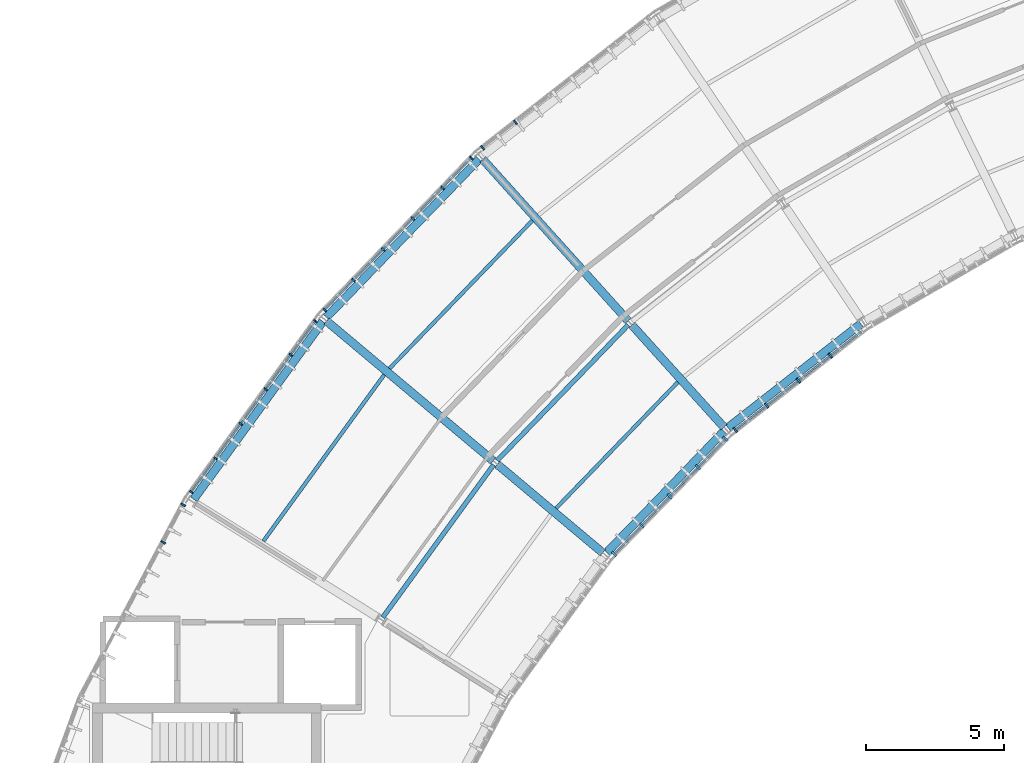
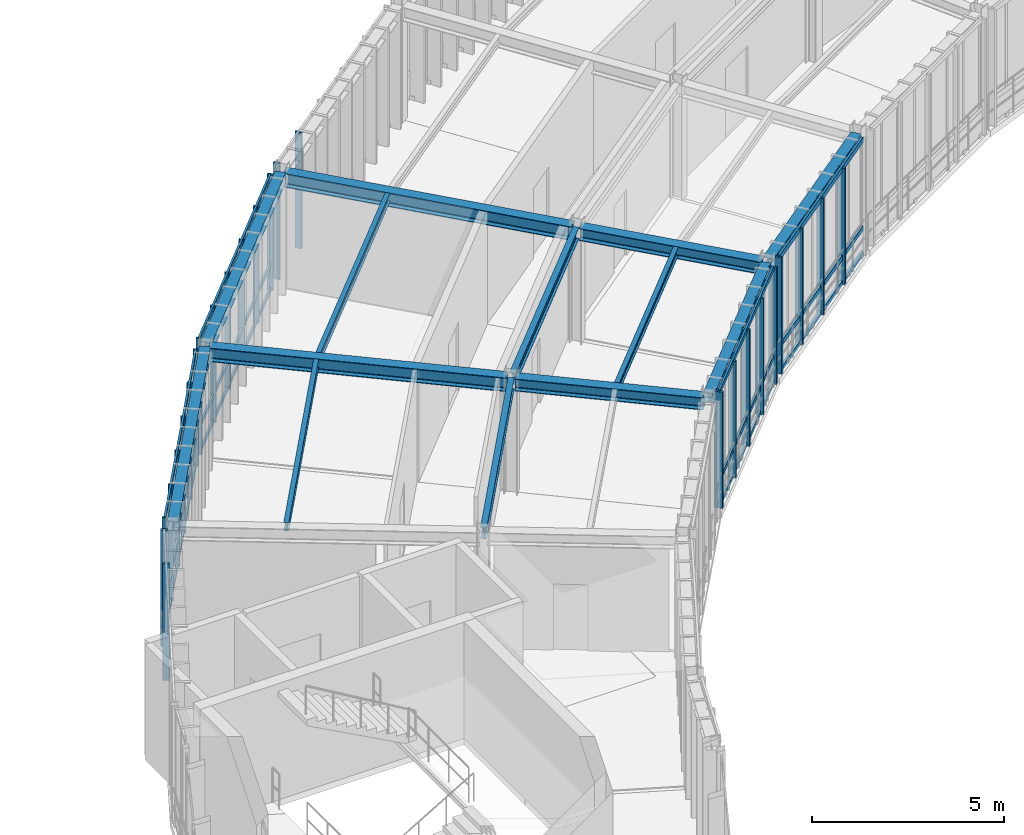
# One storey, part 12 of 41: 37 members, 13 beams, 6 elements without a shape of their own.
"""IFC4 building model written with IfcOpenShell, lengths in metres."""

from ifc_helpers import new_model, si_unit, direction, frame, origin, origin_2d, place, context, subcontext, project, spatial, rectangle, i_section, extrude, material, layer, layer_set, material_profile, profile_set, type_object, element, aggregate, save


model = new_model("IFC4")

# Units and contexts
model_context = context("Model", 3, precision=1e-05, world=origin(), true_north=direction((0.0, 1.0)))
body_context = subcontext(model_context, "Body", "Model", "MODEL_VIEW")
ifc_project = project(units=[si_unit("LENGTHUNIT", "METRE"), si_unit("AREAUNIT", "SQUARE_METRE"), si_unit("VOLUMEUNIT", "CUBIC_METRE"), si_unit("PLANEANGLEUNIT", "RADIAN"), si_unit("MASSUNIT", "GRAM", prefix="KILO"), si_unit("THERMODYNAMICTEMPERATUREUNIT", "KELVIN"), si_unit("POWERUNIT", "WATT")], contexts=[model_context])

# Site, building, storey
site_placement = place(None, origin())
site = spatial("IfcSite", under=ifc_project, at=site_placement, CompositionType="ELEMENT")
building_placement = place(site_placement, origin())
building = spatial("IfcBuilding", under=site, at=building_placement, Name="Solvatero Civic Police Headquarters", CompositionType="ELEMENT")
storey_placement = place(building_placement, frame((0.0, 0.0, 17.699951171875)))
storey = spatial("IfcBuildingStorey", under=building, at=storey_placement, Name="L04", CompositionType="ELEMENT", Elevation=17.699951171875)

# Beams
ifc_material_1 = material(Name="Steel S355", Category="steel")
ifc_material_profile_1 = material_profile(ifc_material_1, i_section(OverallWidth=0.300048828125, OverallDepth=0.2900390625, WebThickness=0.008544921875, FlangeThickness=0.013916015625, FilletRadius=0.027099609375, at=origin_2d()), Name="HEA 300")
ifc_profile_set_1 = profile_set([ifc_material_profile_1], Name="Steel S355")
beam_type_1 = type_object("IfcBeamType", Name="BM-ST-HEA300", PredefinedType="SPANDREL", material=ifc_profile_set_1)
for number, where, z_axis, x_axis, name in (
    (1, (68.561767578125, 63.535400390625, 3.554931640625), (-0.788005042089, -0.615668785665, 0.0), (0.615668785665, -0.788005042089, 0.0), "Perimeter / radial spandrel beam BM-R2-L04-ARC-CIN-B06"),
    (2, (63.58544921875, 59.629638671875, 3.554931640625), (-0.694666334327, -0.719332109635, 0.0), (0.719332109635, -0.694666334327, 0.0), "Perimeter / radial spandrel beam BM-R2-L04-ARC-CIN-B07"),
):
    element("IfcBeam", number, at=place(storey_placement, frame(where, z_axis=z_axis, x_axis=x_axis)), inside=storey, type_object=beam_type_1, Name=name, PredefinedType="SPANDREL", context=body_context, shape_type="SweptSolid", body=[
        extrude(i_section(OverallWidth=0.300048828125, OverallDepth=0.2900390625, WebThickness=0.008544921875, FlangeThickness=0.013916015625, FilletRadius=0.027099609375, at=origin_2d()), origin(), (0.0, 0.0, 1.0), 6.126953125),
    ])
ifc_material_profile_2 = material_profile(ifc_material_1, i_section(OverallWidth=0.300048828125, OverallDepth=0.31005859375, WebThickness=0.009033203125, FlangeThickness=0.015380859375, FilletRadius=0.027099609375, at=origin_2d()), Name="HEA 320")
ifc_profile_set_2 = profile_set([ifc_material_profile_2], Name="Steel S355")
beam_type_2 = type_object("IfcBeamType", Name="BM-ST-HEA320", PredefinedType="SPANDREL", material=ifc_profile_set_2)
beam_1_placement = place(storey_placement, frame((54.68603515625, 69.513427734375, 3.545166015625), z_axis=(-0.694657827695, -0.719340324479, 0.0), x_axis=(0.719340324479, -0.694657827695, 0.0)))
element("IfcBeam", 3, at=beam_1_placement, inside=storey, type_object=beam_type_2, Name="Perimeter / radial spandrel beam BM-R2-L04-ARC-COUT-B07", PredefinedType="SPANDREL", context=body_context, shape_type="SweptSolid", body=[
    extrude(i_section(OverallWidth=0.300048828125, OverallDepth=0.31005859375, WebThickness=0.009033203125, FlangeThickness=0.015380859375, FilletRadius=0.027099609375, at=origin_2d()), origin(), (0.0, 0.0, 1.0), 7.982177734375),
])
beam_2_placement = place(storey_placement, frame((49.0126953125, 63.61865234375, 3.545166015625), z_axis=(-0.587775184232, -0.809024309153, 0.0), x_axis=(0.809024309153, -0.587775184232, 0.0)))
element("IfcBeam", 4, at=beam_2_placement, inside=storey, type_object=beam_type_2, Name="Perimeter / radial spandrel beam BM-R2-L04-ARC-COUT-B08", PredefinedType="SPANDREL", context=body_context, shape_type="SweptSolid", body=[
    extrude(i_section(OverallWidth=0.300048828125, OverallDepth=0.31005859375, WebThickness=0.009033203125, FlangeThickness=0.015380859375, FilletRadius=0.027099609375, at=origin_2d()), origin(), (0.0, 0.0, 1.0), 7.982421875),
])
ifc_material_profile_3 = material_profile(ifc_material_1, i_section(OverallWidth=0.300048828125, OverallDepth=0.389892578125, WebThickness=0.010986328125, FlangeThickness=0.01904296875, FilletRadius=0.027099609375, at=origin_2d()), Name="HEA 400")
ifc_profile_set_3 = profile_set([ifc_material_profile_3], Name="Steel S355")
beam_type_3 = type_object("IfcBeamType", Name="BM-ST-HEA400", PredefinedType="BEAM", material=ifc_profile_set_3)
beam_3_placement = place(storey_placement, frame((63.587890625, 59.77587890625, 3.505126953125), z_axis=(-0.669126573551, 0.743148456614, 0.0), x_axis=(-0.743148456614, -0.669126573551, 0.0)))
element("IfcBeam", 5, at=beam_3_placement, inside=storey, type_object=beam_type_3, Name="Primary girder BM-R2-L04-ARC-RAD1-S06", PredefinedType="BEAM", context=body_context, shape_type="SweptSolid", body=[
    extrude(i_section(OverallWidth=0.300048828125, OverallDepth=0.389892578125, WebThickness=0.010986328125, FlangeThickness=0.01904296875, FilletRadius=0.027099609375, at=origin_2d()), origin(), (0.0, 0.0, 1.0), 5.0),
])
beam_4_placement = place(storey_placement, frame((59.183349609375, 55.214599609375, 3.505126953125), z_axis=(-0.766035646312, 0.642798093167, 0.0), x_axis=(-0.642798093167, -0.766035646312, 0.0)))
element("IfcBeam", 6, at=beam_4_placement, inside=storey, type_object=beam_type_3, Name="Primary girder BM-R2-L04-ARC-RAD1-S07", PredefinedType="BEAM", context=body_context, shape_type="SweptSolid", body=[
    extrude(i_section(OverallWidth=0.300048828125, OverallDepth=0.389892578125, WebThickness=0.010986328125, FlangeThickness=0.01904296875, FilletRadius=0.027099609375, at=origin_2d()), origin(), (0.0, 0.0, 1.0), 5.000244140625),
])
ifc_material_profile_4 = material_profile(ifc_material_1, i_section(OverallWidth=0.300048828125, OverallDepth=0.43994140625, WebThickness=0.011474609375, FlangeThickness=0.02099609375, FilletRadius=0.027099609375, at=origin_2d()), Name="HEA 450")
ifc_profile_set_4 = profile_set([ifc_material_profile_4], Name="Steel S355")
beam_type_4 = type_object("IfcBeamType", Name="BM-ST-HEA450", PredefinedType="BEAM", material=ifc_profile_set_4)
beam_5_placement = place(storey_placement, frame((60.1083984375, 63.640380859375, 3.47998046875), z_axis=(-0.669128632475, 0.743146602766, 0.0), x_axis=(-0.743146602766, -0.669128632475, 0.0)))
element("IfcBeam", 7, at=beam_5_placement, inside=storey, type_object=beam_type_4, Name="Primary girder BM-R2-L04-ARC-RAD2-S06", PredefinedType="BEAM", context=body_context, shape_type="SweptSolid", body=[
    extrude(i_section(OverallWidth=0.300048828125, OverallDepth=0.43994140625, WebThickness=0.011474609375, FlangeThickness=0.02099609375, FilletRadius=0.027099609375, at=origin_2d()), origin(), (0.0, 0.0, 1.0), 7.899658203125),
])
beam_6_placement = place(storey_placement, frame((55.199951171875, 58.55712890625, 3.47998046875), z_axis=(-0.766038381489, 0.642794833587, 0.0), x_axis=(-0.642794833587, -0.766038381489, 0.0)))
element("IfcBeam", 8, at=beam_6_placement, inside=storey, type_object=beam_type_4, Name="Primary girder BM-R2-L04-ARC-RAD2-S07", PredefinedType="BEAM", context=body_context, shape_type="SweptSolid", body=[
    extrude(i_section(OverallWidth=0.300048828125, OverallDepth=0.43994140625, WebThickness=0.011474609375, FlangeThickness=0.02099609375, FilletRadius=0.027099609375, at=origin_2d()), origin(), (0.0, 0.0, 1.0), 7.900146484375),
])
ifc_material_profile_5 = material_profile(ifc_material_1, i_section(OverallWidth=0.135009765625, OverallDepth=0.27001953125, WebThickness=0.006591796875, FlangeThickness=0.01025390625, FilletRadius=0.014892578125, at=origin_2d()), Name="IPE 270")
ifc_profile_set_5 = profile_set([ifc_material_profile_5], Name="Steel S355")
beam_type_5 = type_object("IfcBeamType", Name="BM-ST-IPE270", PredefinedType="BEAM", material=ifc_profile_set_5)
beam_7_placement = place(storey_placement, frame((61.911376953125, 61.414306640625, 3.56494140625), z_axis=(-0.694655397836, -0.719342670956, 0.0), x_axis=(0.719342670956, -0.694655397836, 0.0)))
element("IfcBeam", 9, at=beam_7_placement, inside=storey, type_object=beam_type_5, Name="Composite floor beam BM-R2-L04-ARC-CS1-B07", PredefinedType="BEAM", context=body_context, shape_type="SweptSolid", body=[
    extrude(i_section(OverallWidth=0.135009765625, OverallDepth=0.27001953125, WebThickness=0.006591796875, FlangeThickness=0.01025390625, FilletRadius=0.014892578125, at=origin_2d()), origin(), (0.0, 0.0, 1.0), 6.36865234375),
])
for number, where, z_axis, x_axis, name in (
    (10, (56.625244140625, 67.285400390625, 3.56494140625), (-0.69464641537, -0.719351345042, 0.0), (0.719351345042, -0.69464641537, 0.0), "Composite floor beam BM-R2-L04-ARC-CS2-B07"),
    (11, (51.2431640625, 61.681884765625, 3.56494140625), (-0.587800506185, -0.809005911554, 0.0), (0.809005911554, -0.587800506185, 0.0), "Composite floor beam BM-R2-L04-ARC-CS2-B08"),
):
    element("IfcBeam", number, at=place(storey_placement, frame(where, z_axis=z_axis, x_axis=x_axis)), inside=storey, type_object=beam_type_5, Name=name, PredefinedType="BEAM", context=body_context, shape_type="SweptSolid", body=[
        extrude(i_section(OverallWidth=0.135009765625, OverallDepth=0.27001953125, WebThickness=0.006591796875, FlangeThickness=0.01025390625, FilletRadius=0.014892578125, at=origin_2d()), origin(), (0.0, 0.0, 1.0), 7.470947265625),
    ])
ifc_material_profile_6 = material_profile(ifc_material_1, i_section(OverallWidth=0.169921875, OverallDepth=0.360107421875, WebThickness=0.008056640625, FlangeThickness=0.0126953125, FilletRadius=0.01806640625, at=origin_2d()), Name="IPE 360")
ifc_profile_set_6 = profile_set([ifc_material_profile_6], Name="Steel S355")
beam_type_6 = type_object("IfcBeamType", Name="BM-ST-IPE360", PredefinedType="BEAM", material=ifc_profile_set_6)
for number, where, z_axis, x_axis, name in (
    (12, (60.10595703125, 63.494140625, 3.52001953125), (-0.694635840839, -0.719361556258, 0.0), (0.719361556258, -0.694635840839, 0.0), "Composite floor beam BM-R2-L04-ARC-CMID-B07"),
    (13, (55.2177734375, 58.412109375, 3.52001953125), (-0.587794552249, -0.809010237479, 0.0), (0.809010237479, -0.587794552249, 0.0), "Composite floor beam BM-R2-L04-ARC-CMID-B08"),
):
    element("IfcBeam", number, at=place(storey_placement, frame(where, z_axis=z_axis, x_axis=x_axis)), inside=storey, type_object=beam_type_6, Name=name, PredefinedType="BEAM", context=body_context, shape_type="SweptSolid", body=[
        extrude(i_section(OverallWidth=0.169921875, OverallDepth=0.360107421875, WebThickness=0.008056640625, FlangeThickness=0.0126953125, FilletRadius=0.01806640625, at=origin_2d()), origin(), (0.0, 0.0, 1.0), 6.8525390625),
    ])

# Curtain wall, members
ifc_material_2 = material(Name="Anodized Bronze Aluminium", Category="aluminium")
ifc_layer_1 = layer(ifc_material_2, 0.179931640625)
ifc_layer_set_1 = layer_set([ifc_layer_1], Name="Anodized Bronze Aluminium")
curtain_wall_type_1 = type_object("IfcCurtainWallType", Name="CW-ARC-OUT", PredefinedType="USERDEFINED", material=ifc_layer_set_1)
curtain_wall_1_placement = place(storey_placement, origin())
curtain_wall_1 = element("IfcCurtainWall", 14, at=curtain_wall_1_placement, inside=storey, type_object=curtain_wall_type_1, Name="Curtain Wall CW-R2-L04-ARC-OUT-B08", ObjectType="UNITISED", PredefinedType="USERDEFINED")
ifc_material_profile_7 = material_profile(ifc_material_2, rectangle(XDim=0.06005859375, YDim=0.139892578125, at=origin_2d()), Name="ALU MULLION 60x140")
ifc_profile_set_7 = profile_set([ifc_material_profile_7], Name="Anodized Bronze Aluminium")
member_type_1 = type_object("IfcMemberType", Name="CWM-160x65", PredefinedType="MULLION", material=ifc_profile_set_7)
member_1_placement = place(storey_placement, frame((48.739013671875, 63.632080078125, 0.0), z_axis=(0.0, 0.0, 1.0), x_axis=(-0.587785252292, -0.809016994375, 0.0)))
member_1 = element("IfcMember", 15, at=member_1_placement, type_object=member_type_1, Name="CW-R2-L04-ARC-OUT-B08 Mullion 1", PredefinedType="MULLION", context=body_context, shape_type="SweptSolid", body=[
    extrude(rectangle(XDim=0.06005859375, YDim=0.139892578125, at=origin_2d()), origin(), (0.0, 0.0, 1.0), 3.699951171875),
])
member_2_placement = place(storey_placement, frame((47.85107421875, 62.41015625, 0.0), z_axis=(0.0, 0.0, 1.0), x_axis=(-0.587785252292, -0.809016994375, 0.0)))
member_2 = element("IfcMember", 16, at=member_2_placement, type_object=member_type_1, Name="CW-R2-L04-ARC-OUT-B08 Mullion 2", PredefinedType="MULLION", context=body_context, shape_type="SweptSolid", body=[
    extrude(rectangle(XDim=0.06005859375, YDim=0.139892578125, at=origin_2d()), origin(), (0.0, 0.0, 1.0), 3.699951171875),
])
member_3_placement = place(storey_placement, frame((46.939697265625, 61.15576171875, 0.0), z_axis=(0.0, 0.0, 1.0), x_axis=(-0.587785252292, -0.809016994375, 0.0)))
member_3 = element("IfcMember", 17, at=member_3_placement, type_object=member_type_1, Name="CW-R2-L04-ARC-OUT-B08 Mullion 3", PredefinedType="MULLION", context=body_context, shape_type="SweptSolid", body=[
    extrude(rectangle(XDim=0.06005859375, YDim=0.139892578125, at=origin_2d()), origin(), (0.0, 0.0, 1.0), 3.699951171875),
])
member_4_placement = place(storey_placement, frame((46.0283203125, 59.9013671875, 0.0), z_axis=(0.0, 0.0, 1.0), x_axis=(-0.587785252292, -0.809016994375, 0.0)))
member_4 = element("IfcMember", 18, at=member_4_placement, type_object=member_type_1, Name="CW-R2-L04-ARC-OUT-B08 Mullion 4", PredefinedType="MULLION", context=body_context, shape_type="SweptSolid", body=[
    extrude(rectangle(XDim=0.06005859375, YDim=0.139892578125, at=origin_2d()), origin(), (0.0, 0.0, 1.0), 3.699951171875),
])
member_5_placement = place(storey_placement, frame((45.1171875, 58.64697265625, 0.0), z_axis=(0.0, 0.0, 1.0), x_axis=(-0.587785252292, -0.809016994375, 0.0)))
member_5 = element("IfcMember", 19, at=member_5_placement, type_object=member_type_1, Name="CW-R2-L04-ARC-OUT-B08 Mullion 5", PredefinedType="MULLION", context=body_context, shape_type="SweptSolid", body=[
    extrude(rectangle(XDim=0.06005859375, YDim=0.139892578125, at=origin_2d()), origin(), (0.0, 0.0, 1.0), 3.699951171875),
])
member_6_placement = place(storey_placement, frame((44.229248046875, 57.425048828125, 0.0), z_axis=(0.0, 0.0, 1.0), x_axis=(-0.587785252292, -0.809016994375, 0.0)))
member_6 = element("IfcMember", 20, at=member_6_placement, type_object=member_type_1, Name="CW-R2-L04-ARC-OUT-B08 Mullion 6", PredefinedType="MULLION", context=body_context, shape_type="SweptSolid", body=[
    extrude(rectangle(XDim=0.06005859375, YDim=0.139892578125, at=origin_2d()), origin(), (0.0, 0.0, 1.0), 3.699951171875),
])

curtain_wall_2_placement = place(storey_placement, origin())
curtain_wall_2 = element("IfcCurtainWall", 21, at=curtain_wall_2_placement, inside=storey, type_object=curtain_wall_type_1, Name="Curtain Wall CW-R2-L04-ARC-OUT-B07", ObjectType="UNITISED", PredefinedType="USERDEFINED")
ifc_material_profile_8 = material_profile(ifc_material_2, rectangle(XDim=0.06005859375, YDim=0.159912109375, at=origin_2d()), Name="ALU MULLION 60x160")
ifc_profile_set_8 = profile_set([ifc_material_profile_8], Name="Anodized Bronze Aluminium")
member_type_2 = type_object("IfcMemberType", Name="CWM-180x70", PredefinedType="MULLION", material=ifc_profile_set_8)
member_7_placement = place(storey_placement, frame((54.409912109375, 69.557861328125, 0.0), z_axis=(0.0, 0.0, 1.0), x_axis=(-0.694645815505, -0.719351924305, 0.0)))
member_7 = element("IfcMember", 22, at=member_7_placement, type_object=member_type_2, Name="CW-R2-L04-ARC-OUT-B07 Mullion 1", PredefinedType="MULLION", context=body_context, shape_type="SweptSolid", body=[
    extrude(rectangle(XDim=0.06005859375, YDim=0.159912109375, at=origin_2d()), origin(), (0.0, 0.0, 1.0), 3.699951171875),
])
member_8_placement = place(storey_placement, frame((53.360595703125, 68.47119140625, 0.0), z_axis=(0.0, 0.0, 1.0), x_axis=(-0.694645815505, -0.719351924305, 0.0)))
member_8 = element("IfcMember", 23, at=member_8_placement, type_object=member_type_2, Name="CW-R2-L04-ARC-OUT-B07 Mullion 2", PredefinedType="MULLION", context=body_context, shape_type="SweptSolid", body=[
    extrude(rectangle(XDim=0.06005859375, YDim=0.159912109375, at=origin_2d()), origin(), (0.0, 0.0, 1.0), 3.699951171875),
])
member_9_placement = place(storey_placement, frame((52.283447265625, 67.35595703125, 0.0), z_axis=(0.0, 0.0, 1.0), x_axis=(-0.694645815505, -0.719351924305, 0.0)))
member_9 = element("IfcMember", 24, at=member_9_placement, type_object=member_type_2, Name="CW-R2-L04-ARC-OUT-B07 Mullion 3", PredefinedType="MULLION", context=body_context, shape_type="SweptSolid", body=[
    extrude(rectangle(XDim=0.06005859375, YDim=0.159912109375, at=origin_2d()), origin(), (0.0, 0.0, 1.0), 3.699951171875),
])
member_10_placement = place(storey_placement, frame((51.206298828125, 66.240478515625, 0.0), z_axis=(0.0, 0.0, 1.0), x_axis=(-0.694645815505, -0.719351924305, 0.0)))
member_10 = element("IfcMember", 25, at=member_10_placement, type_object=member_type_2, Name="CW-R2-L04-ARC-OUT-B07 Mullion 4", PredefinedType="MULLION", context=body_context, shape_type="SweptSolid", body=[
    extrude(rectangle(XDim=0.06005859375, YDim=0.159912109375, at=origin_2d()), origin(), (0.0, 0.0, 1.0), 3.699951171875),
])
member_11_placement = place(storey_placement, frame((50.12939453125, 65.125244140625, 0.0), z_axis=(0.0, 0.0, 1.0), x_axis=(-0.694645815505, -0.719351924305, 0.0)))
member_11 = element("IfcMember", 26, at=member_11_placement, type_object=member_type_2, Name="CW-R2-L04-ARC-OUT-B07 Mullion 5", PredefinedType="MULLION", context=body_context, shape_type="SweptSolid", body=[
    extrude(rectangle(XDim=0.06005859375, YDim=0.159912109375, at=origin_2d()), origin(), (0.0, 0.0, 1.0), 3.699951171875),
])
member_12_placement = place(storey_placement, frame((49.080078125, 64.038818359375, 0.0), z_axis=(0.0, 0.0, 1.0), x_axis=(-0.694645815505, -0.719351924305, 0.0)))
member_12 = element("IfcMember", 27, at=member_12_placement, type_object=member_type_2, Name="CW-R2-L04-ARC-OUT-B07 Mullion 6", PredefinedType="MULLION", context=body_context, shape_type="SweptSolid", body=[
    extrude(rectangle(XDim=0.06005859375, YDim=0.159912109375, at=origin_2d()), origin(), (0.0, 0.0, 1.0), 3.699951171875),
])

curtain_wall_3_placement = place(storey_placement, origin())
curtain_wall_3 = element("IfcCurtainWall", 28, at=curtain_wall_3_placement, inside=storey, type_object=curtain_wall_type_1, Name="Curtain Wall CW-R2-L04-ARC-OUT-B06", ObjectType="UNITISED", PredefinedType="USERDEFINED")
ifc_material_profile_9 = material_profile(ifc_material_2, rectangle(XDim=0.06494140625, YDim=0.179931640625, at=origin_2d()), Name="ALU MULLION 65x180")
ifc_profile_set_9 = profile_set([ifc_material_profile_9], Name="Anodized Bronze Aluminium")
member_type_3 = type_object("IfcMemberType", Name="CWM-200x75", PredefinedType="MULLION", material=ifc_profile_set_9)
member_13_placement = place(storey_placement, frame((56.009521484375, 70.856201171875, 0.0), z_axis=(0.0, 0.0, 1.0), x_axis=(-0.788010753607, -0.615661475326, 0.0)))
member_13 = element("IfcMember", 29, at=member_13_placement, type_object=member_type_3, Name="CW-R2-L04-ARC-OUT-B06 Mullion 5", PredefinedType="MULLION", context=body_context, shape_type="SweptSolid", body=[
    extrude(rectangle(XDim=0.06494140625, YDim=0.179931640625, at=origin_2d()), origin(), (0.0, 0.0, 1.0), 3.699951171875),
])
member_14_placement = place(storey_placement, frame((54.819091796875, 69.926513671875, 0.0), z_axis=(0.0, 0.0, 1.0), x_axis=(-0.788010753607, -0.615661475326, 0.0)))
member_14 = element("IfcMember", 30, at=member_14_placement, type_object=member_type_3, Name="CW-R2-L04-ARC-OUT-B06 Mullion 6", PredefinedType="MULLION", context=body_context, shape_type="SweptSolid", body=[
    extrude(rectangle(XDim=0.06494140625, YDim=0.179931640625, at=origin_2d()), origin(), (0.0, 0.0, 1.0), 3.699951171875),
])
aggregate(curtain_wall_3, [member_13, member_14])

curtain_wall_4_placement = place(storey_placement, origin())
curtain_wall_4 = element("IfcCurtainWall", 31, at=curtain_wall_4_placement, inside=storey, type_object=curtain_wall_type_1, Name="Curtain Wall CW-R2-L04-ARC-OUT-B09", ObjectType="UNITISED", PredefinedType="USERDEFINED")
member_15_placement = place(storey_placement, frame((43.9375, 56.9580078125, 0.0), z_axis=(0.0, 0.0, 1.0), x_axis=(-0.469486973057, -0.8829393989, 0.0)))
member_15 = element("IfcMember", 32, at=member_15_placement, type_object=member_type_3, Name="CW-R2-L04-ARC-OUT-B09 Mullion 1", PredefinedType="MULLION", context=body_context, shape_type="SweptSolid", body=[
    extrude(rectangle(XDim=0.06494140625, YDim=0.179931640625, at=origin_2d()), origin(), (0.0, 0.0, 1.0), 3.699951171875),
])
member_16_placement = place(storey_placement, frame((43.212646484375, 55.594970703125, 0.0), z_axis=(0.0, 0.0, 1.0), x_axis=(-0.469486973057, -0.8829393989, 0.0)))
member_16 = element("IfcMember", 33, at=member_16_placement, type_object=member_type_3, Name="CW-R2-L04-ARC-OUT-B09 Mullion 2", PredefinedType="MULLION", context=body_context, shape_type="SweptSolid", body=[
    extrude(rectangle(XDim=0.06494140625, YDim=0.179931640625, at=origin_2d()), origin(), (0.0, 0.0, 1.0), 3.699951171875),
])
aggregate(curtain_wall_4, [member_15, member_16])

ifc_layer_2 = layer(ifc_material_2, 0.179931640625)
ifc_layer_set_2 = layer_set([ifc_layer_2], Name="Anodized Bronze Aluminium")
curtain_wall_type_2 = type_object("IfcCurtainWallType", Name="CW-ARC-IN", PredefinedType="USERDEFINED", material=ifc_layer_set_2)
curtain_wall_5_placement = place(storey_placement, origin())
curtain_wall_5 = element("IfcCurtainWall", 34, at=curtain_wall_5_placement, inside=storey, type_object=curtain_wall_type_2, Name="Curtain Wall CW-R2-L04-ARC-IN-B06", ObjectType="UNITISED", PredefinedType="USERDEFINED")
ifc_material_profile_10 = material_profile(ifc_material_2, rectangle(XDim=0.070068359375, YDim=0.199951171875, at=origin_2d()), Name="ALU MULLION 70x200")
ifc_profile_set_10 = profile_set([ifc_material_profile_10], Name="Anodized Bronze Aluminium")
member_type_4 = type_object("IfcMemberType", Name="CWM-220x80", PredefinedType="MULLION", material=ifc_profile_set_10)
member_17_placement = place(storey_placement, frame((67.45458984375, 62.379150390625, 0.0), z_axis=(0.0, 0.0, 1.0), x_axis=(-0.788010753607, -0.615661475326, 0.0)))
member_17 = element("IfcMember", 35, at=member_17_placement, type_object=member_type_4, Name="CW-R2-L04-ARC-IN-B06 Mullion 2", PredefinedType="MULLION", context=body_context, shape_type="SweptSolid", body=[
    extrude(rectangle(XDim=0.070068359375, YDim=0.199951171875, at=origin_2d()), origin(), (0.0, 0.0, 1.0), 3.699951171875),
])
member_18_placement = place(storey_placement, frame((66.29296875, 61.471435546875, 0.0), z_axis=(0.0, 0.0, 1.0), x_axis=(-0.788010753607, -0.615661475326, 0.0)))
member_18 = element("IfcMember", 36, at=member_18_placement, type_object=member_type_4, Name="CW-R2-L04-ARC-IN-B06 Mullion 3", PredefinedType="MULLION", context=body_context, shape_type="SweptSolid", body=[
    extrude(rectangle(XDim=0.070068359375, YDim=0.199951171875, at=origin_2d()), origin(), (0.0, 0.0, 1.0), 3.699951171875),
])
member_19_placement = place(storey_placement, frame((65.131103515625, 60.56396484375, 0.0), z_axis=(0.0, 0.0, 1.0), x_axis=(-0.788010753607, -0.615661475326, 0.0)))
member_19 = element("IfcMember", 37, at=member_19_placement, type_object=member_type_4, Name="CW-R2-L04-ARC-IN-B06 Mullion 4", PredefinedType="MULLION", context=body_context, shape_type="SweptSolid", body=[
    extrude(rectangle(XDim=0.070068359375, YDim=0.199951171875, at=origin_2d()), origin(), (0.0, 0.0, 1.0), 3.699951171875),
])
member_20_placement = place(storey_placement, frame((64.0009765625, 59.680908203125, 0.0), z_axis=(0.0, 0.0, 1.0), x_axis=(-0.788010753607, -0.615661475326, 0.0)))
member_20 = element("IfcMember", 38, at=member_20_placement, type_object=member_type_4, Name="CW-R2-L04-ARC-IN-B06 Mullion 5", PredefinedType="MULLION", context=body_context, shape_type="SweptSolid", body=[
    extrude(rectangle(XDim=0.070068359375, YDim=0.199951171875, at=origin_2d()), origin(), (0.0, 0.0, 1.0), 3.699951171875),
])

curtain_wall_6_placement = place(storey_placement, origin())
curtain_wall_6 = element("IfcCurtainWall", 39, at=curtain_wall_6_placement, inside=storey, type_object=curtain_wall_type_2, Name="Curtain Wall CW-R2-L04-ARC-IN-B07", ObjectType="UNITISED", PredefinedType="USERDEFINED")
ifc_material_profile_11 = material_profile(ifc_material_2, rectangle(XDim=0.074951171875, YDim=0.219970703125, at=origin_2d()), Name="ALU MULLION 75x220")
ifc_profile_set_11 = profile_set([ifc_material_profile_11], Name="Anodized Bronze Aluminium")
member_type_5 = type_object("IfcMemberType", Name="CWM-250x85", PredefinedType="MULLION", material=ifc_profile_set_11)
member_21_placement = place(storey_placement, frame((63.639404296875, 59.355224609375, 0.0), z_axis=(0.0, 0.0, 1.0), x_axis=(-0.694658370459, -0.719339800339, 0.0)))
member_21 = element("IfcMember", 40, at=member_21_placement, type_object=member_type_5, Name="CW-R2-L04-ARC-IN-B07 Mullion 1", PredefinedType="MULLION", context=body_context, shape_type="SweptSolid", body=[
    extrude(rectangle(XDim=0.074951171875, YDim=0.219970703125, at=origin_2d()), origin(), (0.0, 0.0, 1.0), 3.699951171875),
])
member_22_placement = place(storey_placement, frame((62.64306640625, 58.323486328125, 0.0), z_axis=(0.0, 0.0, 1.0), x_axis=(-0.694658370459, -0.719339800339, 0.0)))
member_22 = element("IfcMember", 41, at=member_22_placement, type_object=member_type_5, Name="CW-R2-L04-ARC-IN-B07 Mullion 2", PredefinedType="MULLION", context=body_context, shape_type="SweptSolid", body=[
    extrude(rectangle(XDim=0.074951171875, YDim=0.219970703125, at=origin_2d()), origin(), (0.0, 0.0, 1.0), 3.699951171875),
])
member_23_placement = place(storey_placement, frame((61.618896484375, 57.26318359375, 0.0), z_axis=(0.0, 0.0, 1.0), x_axis=(-0.694658370459, -0.719339800339, 0.0)))
member_23 = element("IfcMember", 42, at=member_23_placement, type_object=member_type_5, Name="CW-R2-L04-ARC-IN-B07 Mullion 3", PredefinedType="MULLION", context=body_context, shape_type="SweptSolid", body=[
    extrude(rectangle(XDim=0.074951171875, YDim=0.219970703125, at=origin_2d()), origin(), (0.0, 0.0, 1.0), 3.699951171875),
])
member_24_placement = place(storey_placement, frame((60.594970703125, 56.20263671875, 0.0), z_axis=(0.0, 0.0, 1.0), x_axis=(-0.694658370459, -0.719339800339, 0.0)))
member_24 = element("IfcMember", 43, at=member_24_placement, type_object=member_type_5, Name="CW-R2-L04-ARC-IN-B07 Mullion 4", PredefinedType="MULLION", context=body_context, shape_type="SweptSolid", body=[
    extrude(rectangle(XDim=0.074951171875, YDim=0.219970703125, at=origin_2d()), origin(), (0.0, 0.0, 1.0), 3.699951171875),
])
member_25_placement = place(storey_placement, frame((59.5986328125, 55.1708984375, 0.0), z_axis=(0.0, 0.0, 1.0), x_axis=(-0.694658370459, -0.719339800339, 0.0)))
member_25 = element("IfcMember", 44, at=member_25_placement, type_object=member_type_5, Name="CW-R2-L04-ARC-IN-B07 Mullion 5", PredefinedType="MULLION", context=body_context, shape_type="SweptSolid", body=[
    extrude(rectangle(XDim=0.074951171875, YDim=0.219970703125, at=origin_2d()), origin(), (0.0, 0.0, 1.0), 3.699951171875),
])

# Member
ifc_material_profile_12 = material_profile(ifc_material_2, rectangle(XDim=0.070068359375, YDim=0.159912109375, at=origin_2d()), Name="ALU TRANSOM 70x160")
ifc_profile_set_12 = profile_set([ifc_material_profile_12], Name="Anodized Bronze Aluminium")
member_type_6 = type_object("IfcMemberType", Name="CWT-120x55", PredefinedType="USERDEFINED", material=ifc_profile_set_12)
member_26_placement = place(storey_placement, frame((68.576904296875, 63.256103515625, 0.0400390625), z_axis=(-0.788003303273, -0.615671011199, 0.0), x_axis=(0.615671011199, -0.788003303273, 0.0)))
member_26 = element("IfcMember", 45, at=member_26_placement, type_object=member_type_6, Name="CW-R2-L04-ARC-IN-B06 Transom 1", ObjectType="TRANSOM", PredefinedType="USERDEFINED", context=body_context, shape_type="SweptSolid", body=[
    extrude(rectangle(XDim=0.070068359375, YDim=0.159912109375, at=origin_2d()), origin(), (0.0, 0.0, 1.0), 5.797119140625),
])

member_27_placement = place(storey_placement, frame((68.576904296875, 63.256103515625, 0.85009765625), z_axis=(-0.788003303273, -0.615671011199, 0.0), x_axis=(0.615671011199, -0.788003303273, 0.0)))
member_27 = element("IfcMember", 46, at=member_27_placement, type_object=member_type_6, Name="CW-R2-L04-ARC-IN-B06 Transom 2", ObjectType="TRANSOM", PredefinedType="USERDEFINED", context=body_context, shape_type="SweptSolid", body=[
    extrude(rectangle(XDim=0.070068359375, YDim=0.159912109375, at=origin_2d()), origin(), (0.0, 0.0, 1.0), 5.797119140625),
])

member_28_placement = place(storey_placement, frame((68.576904296875, 63.256103515625, 3.66015625), z_axis=(-0.788003303273, -0.615671011199, 0.0), x_axis=(0.615671011199, -0.788003303273, 0.0)))
member_28 = element("IfcMember", 47, at=member_28_placement, type_object=member_type_6, Name="CW-R2-L04-ARC-IN-B06 Transom 3", ObjectType="TRANSOM", PredefinedType="USERDEFINED", context=body_context, shape_type="SweptSolid", body=[
    extrude(rectangle(XDim=0.070068359375, YDim=0.159912109375, at=origin_2d()), origin(), (0.0, 0.0, 1.0), 5.797119140625),
])

aggregate(curtain_wall_5, [member_17, member_18, member_19, member_20, member_26, member_27, member_28])

ifc_material_profile_13 = material_profile(ifc_material_2, rectangle(XDim=0.06005859375, YDim=0.110107421875, at=origin_2d()), Name="ALU TRANSOM 60x110")
ifc_profile_set_13 = profile_set([ifc_material_profile_13], Name="Anodized Bronze Aluminium")
member_type_7 = type_object("IfcMemberType", Name="CWT-140x60", PredefinedType="USERDEFINED", material=ifc_profile_set_13)
member_29_placement = place(storey_placement, frame((48.733154296875, 63.6240234375, 0.0400390625), z_axis=(-0.587792238591, -0.809011918486, 0.0), x_axis=(0.809011918486, -0.587792238591, 0.0)))
member_29 = element("IfcMember", 48, at=member_29_placement, type_object=member_type_7, Name="CW-R2-L04-ARC-OUT-B08 Transom 1", ObjectType="TRANSOM", PredefinedType="USERDEFINED", context=body_context, shape_type="SweptSolid", body=[
    extrude(rectangle(XDim=0.06005859375, YDim=0.110107421875, at=origin_2d()), origin(), (0.0, 0.0, 1.0), 7.65234375),
])

member_30_placement = place(storey_placement, frame((48.733154296875, 63.6240234375, 0.85009765625), z_axis=(-0.587792238591, -0.809011918486, 0.0), x_axis=(0.809011918486, -0.587792238591, 0.0)))
member_30 = element("IfcMember", 49, at=member_30_placement, type_object=member_type_7, Name="CW-R2-L04-ARC-OUT-B08 Transom 2", ObjectType="TRANSOM", PredefinedType="USERDEFINED", context=body_context, shape_type="SweptSolid", body=[
    extrude(rectangle(XDim=0.06005859375, YDim=0.110107421875, at=origin_2d()), origin(), (0.0, 0.0, 1.0), 7.65234375),
])

member_31_placement = place(storey_placement, frame((48.733154296875, 63.6240234375, 3.66015625), z_axis=(-0.587792238591, -0.809011918486, 0.0), x_axis=(0.809011918486, -0.587792238591, 0.0)))
member_31 = element("IfcMember", 50, at=member_31_placement, type_object=member_type_7, Name="CW-R2-L04-ARC-OUT-B08 Transom 3", ObjectType="TRANSOM", PredefinedType="USERDEFINED", context=body_context, shape_type="SweptSolid", body=[
    extrude(rectangle(XDim=0.06005859375, YDim=0.110107421875, at=origin_2d()), origin(), (0.0, 0.0, 1.0), 7.65234375),
])

aggregate(curtain_wall_1, [member_1, member_2, member_3, member_4, member_5, member_6, member_29, member_30, member_31])

ifc_material_profile_14 = material_profile(ifc_material_2, rectangle(XDim=0.06005859375, YDim=0.125, at=origin_2d()), Name="ALU TRANSOM 60x125")
ifc_profile_set_14 = profile_set([ifc_material_profile_14], Name="Anodized Bronze Aluminium")
member_type_8 = type_object("IfcMemberType", Name="CWT-160x65", PredefinedType="USERDEFINED", material=ifc_profile_set_14)
member_32_placement = place(storey_placement, frame((54.40283203125, 69.550537109375, 0.0400390625), z_axis=(-0.694652017729, -0.719345935045, 0.0), x_axis=(0.719345935045, -0.694652017729, 0.0)))
member_32 = element("IfcMember", 51, at=member_32_placement, type_object=member_type_8, Name="CW-R2-L04-ARC-OUT-B07 Transom 1", ObjectType="TRANSOM", PredefinedType="USERDEFINED", context=body_context, shape_type="SweptSolid", body=[
    extrude(rectangle(XDim=0.06005859375, YDim=0.125, at=origin_2d()), origin(), (0.0, 0.0, 1.0), 7.65234375),
])

member_33_placement = place(storey_placement, frame((54.40283203125, 69.550537109375, 0.85009765625), z_axis=(-0.694652017729, -0.719345935045, 0.0), x_axis=(0.719345935045, -0.694652017729, 0.0)))
member_33 = element("IfcMember", 52, at=member_33_placement, type_object=member_type_8, Name="CW-R2-L04-ARC-OUT-B07 Transom 2", ObjectType="TRANSOM", PredefinedType="USERDEFINED", context=body_context, shape_type="SweptSolid", body=[
    extrude(rectangle(XDim=0.06005859375, YDim=0.125, at=origin_2d()), origin(), (0.0, 0.0, 1.0), 7.65234375),
])

member_34_placement = place(storey_placement, frame((54.40283203125, 69.550537109375, 3.66015625), z_axis=(-0.694652017729, -0.719345935045, 0.0), x_axis=(0.719345935045, -0.694652017729, 0.0)))
member_34 = element("IfcMember", 53, at=member_34_placement, type_object=member_type_8, Name="CW-R2-L04-ARC-OUT-B07 Transom 3", ObjectType="TRANSOM", PredefinedType="USERDEFINED", context=body_context, shape_type="SweptSolid", body=[
    extrude(rectangle(XDim=0.06005859375, YDim=0.125, at=origin_2d()), origin(), (0.0, 0.0, 1.0), 7.65234375),
])

aggregate(curtain_wall_2, [member_7, member_8, member_9, member_10, member_11, member_12, member_32, member_33, member_34])

ifc_material_profile_15 = material_profile(ifc_material_2, rectangle(XDim=0.06494140625, YDim=0.139892578125, at=origin_2d()), Name="ALU TRANSOM 65x140")
ifc_profile_set_15 = profile_set([ifc_material_profile_15], Name="Anodized Bronze Aluminium")
member_type_9 = type_object("IfcMemberType", Name="CWT-180x70", PredefinedType="USERDEFINED", material=ifc_profile_set_15)
member_35_placement = place(storey_placement, frame((63.63232421875, 59.347900390625, 0.0400390625), z_axis=(-0.694659149036, -0.719339048475, 0.0), x_axis=(0.719339048475, -0.694659149036, 0.0)))
member_35 = element("IfcMember", 54, at=member_35_placement, type_object=member_type_9, Name="CW-R2-L04-ARC-IN-B07 Transom 1", ObjectType="TRANSOM", PredefinedType="USERDEFINED", context=body_context, shape_type="SweptSolid", body=[
    extrude(rectangle(XDim=0.06494140625, YDim=0.139892578125, at=origin_2d()), origin(), (0.0, 0.0, 1.0), 5.796875),
])

member_36_placement = place(storey_placement, frame((63.63232421875, 59.347900390625, 0.85009765625), z_axis=(-0.694659149036, -0.719339048475, 0.0), x_axis=(0.719339048475, -0.694659149036, 0.0)))
member_36 = element("IfcMember", 55, at=member_36_placement, type_object=member_type_9, Name="CW-R2-L04-ARC-IN-B07 Transom 2", ObjectType="TRANSOM", PredefinedType="USERDEFINED", context=body_context, shape_type="SweptSolid", body=[
    extrude(rectangle(XDim=0.06494140625, YDim=0.139892578125, at=origin_2d()), origin(), (0.0, 0.0, 1.0), 5.796875),
])

member_37_placement = place(storey_placement, frame((63.63232421875, 59.347900390625, 3.66015625), z_axis=(-0.694659149036, -0.719339048475, 0.0), x_axis=(0.719339048475, -0.694659149036, 0.0)))
member_37 = element("IfcMember", 56, at=member_37_placement, type_object=member_type_9, Name="CW-R2-L04-ARC-IN-B07 Transom 3", ObjectType="TRANSOM", PredefinedType="USERDEFINED", context=body_context, shape_type="SweptSolid", body=[
    extrude(rectangle(XDim=0.06494140625, YDim=0.139892578125, at=origin_2d()), origin(), (0.0, 0.0, 1.0), 5.796875),
])

aggregate(curtain_wall_6, [member_21, member_22, member_23, member_24, member_25, member_35, member_36, member_37])

save(model, "model.ifc")
